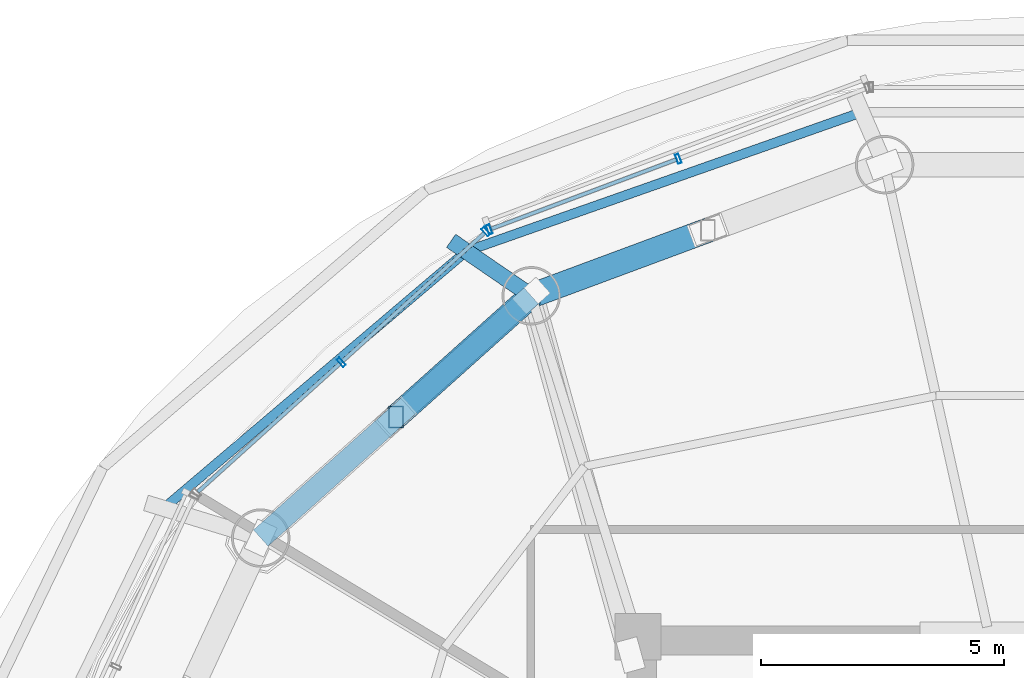
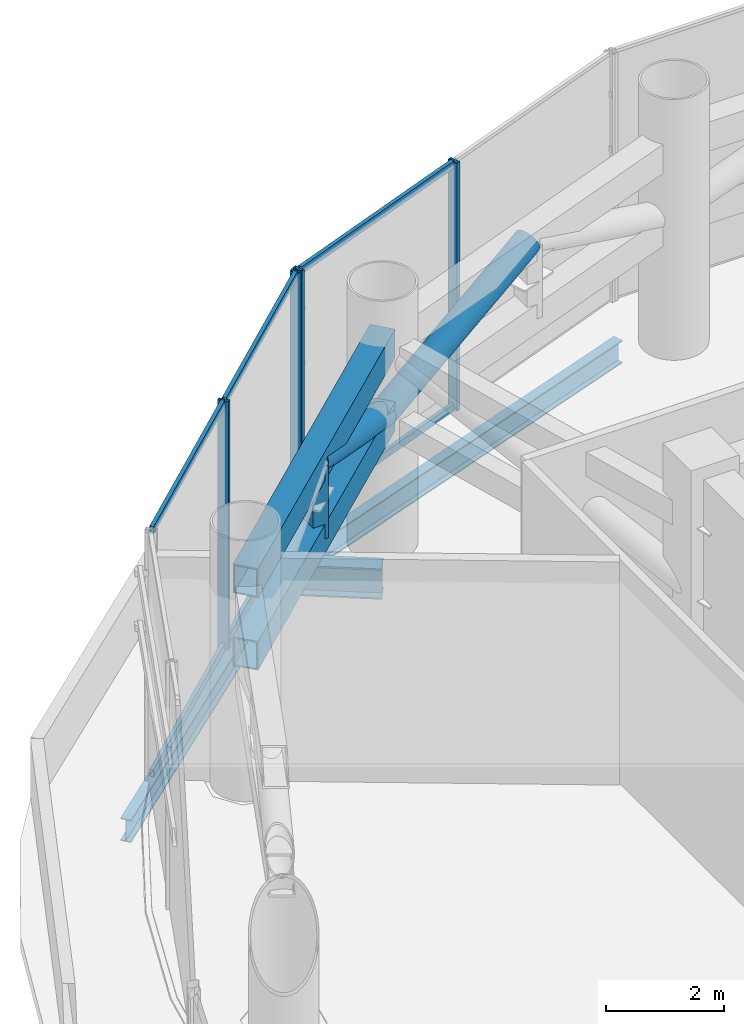
# One storey, part 14 of 25: 15 members, 3 beams, 2 elements without a shape of their own.
"""IFC4 building model written with IfcOpenShell, lengths in metres."""

from ifc_helpers import new_model, si_unit, direction, frame, origin, origin_2d, place, context, subcontext, project, spatial, hollow_rectangle, hollow_circle, i_section, extrude, source, transform, mapped, material, material_profile, profile_set, type_object, element, aggregate, save


model = new_model("IFC4")

# Units and contexts
model_context = context("Model", 3, precision=1e-05, world=origin(), true_north=direction((-0.2419218956, 0.970295726276)))
body_context = subcontext(model_context, "Body", "Model", "MODEL_VIEW")
ifc_project = project(units=[si_unit("LENGTHUNIT", "METRE"), si_unit("AREAUNIT", "SQUARE_METRE"), si_unit("VOLUMEUNIT", "CUBIC_METRE"), si_unit("PLANEANGLEUNIT", "RADIAN"), si_unit("MASSUNIT", "GRAM", prefix="KILO")], contexts=[model_context])

# Site, building, storey
site_placement = place(None, origin())
site = spatial("IfcSite", under=ifc_project, at=site_placement, CompositionType="ELEMENT")
building_placement = place(site_placement, origin())
building = spatial("IfcBuilding", under=site, at=building_placement, Name="Cobrevalo Terracotta Tower", CompositionType="ELEMENT")
storey_placement = place(building_placement, frame((0.0, 0.0, 185.800048828125)))
storey = spatial("IfcBuildingStorey", under=building, at=storey_placement, Name="L49", CompositionType="ELEMENT", Elevation=185.800048828125)

# Beams
ifc_material_1 = material(Name="Steel S355", Category="steel")
ifc_material_profile_1 = material_profile(ifc_material_1, i_section(OverallWidth=0.3291015625, OverallDepth=0.635009765625, WebThickness=0.017822265625, FlangeThickness=0.031005859375, at=origin_2d()), Name="W 610x241")
ifc_profile_set_1 = profile_set([ifc_material_profile_1], Name="Steel S355")
beam_type_1 = type_object("IfcBeamType", Name="Structural Beam W 610x241 (Steel S355)", PredefinedType="BEAM", material=ifc_profile_set_1)
beam_1_placement = place(storey_placement, frame((25.158447265625, 42.9375, -0.767578125), z_axis=(0.82467996977, -0.565599635308, 0.0), x_axis=(0.565599635308, 0.82467996977, 0.0)))
element("IfcBeam", 1, at=beam_1_placement, inside=storey, type_object=beam_type_1, Name="L49 setback step-link girder 06", PredefinedType="BEAM", context=body_context, shape_type="SweptSolid", body=[
    extrude(i_section(OverallWidth=0.3291015625, OverallDepth=0.635009765625, WebThickness=0.017822265625, FlangeThickness=0.031005859375, at=origin_2d()), origin(), (0.0, 0.0, 1.0), 1.996826171875),
])
ifc_material_profile_2 = material_profile(ifc_material_1, i_section(OverallWidth=0.194091796875, OverallDepth=0.468994140625, WebThickness=0.011474609375, FlangeThickness=0.0205078125, at=origin_2d()), Name="W 460x106")
ifc_profile_set_2 = profile_set([ifc_material_profile_2], Name="Steel S355")
beam_type_2 = type_object("IfcBeamType", Name="Structural Spandrel W 460x106 (Steel S355)", PredefinedType="SPANDREL", material=ifc_profile_set_2)
beam_2_placement = place(storey_placement, frame((33.600830078125, 45.58203125, -0.6845703125), z_axis=(-0.943341298492, -0.331824041565, 0.0), x_axis=(0.331824041565, -0.943341298492, 0.0)))
element("IfcBeam", 2, at=beam_2_placement, inside=storey, type_object=beam_type_2, Name="L49 perimeter ring spandrel 05", PredefinedType="SPANDREL", context=body_context, shape_type="SweptSolid", body=[
    extrude(i_section(OverallWidth=0.194091796875, OverallDepth=0.468994140625, WebThickness=0.011474609375, FlangeThickness=0.0205078125, at=origin_2d()), origin(), (0.0, 0.0, 1.0), 8.6171875),
])
beam_3_placement = place(storey_placement, frame((25.471923828125, 42.72265625, -0.6845703125), z_axis=(-0.762240337798, -0.647294112003, 0.0), x_axis=(0.647294112003, -0.762240337798, 0.0)))
element("IfcBeam", 3, at=beam_3_placement, inside=storey, type_object=beam_type_2, Name="L49 perimeter ring spandrel 06", PredefinedType="SPANDREL", context=body_context, shape_type="SweptSolid", body=[
    extrude(i_section(OverallWidth=0.194091796875, OverallDepth=0.468994140625, WebThickness=0.011474609375, FlangeThickness=0.0205078125, at=origin_2d()), origin(), (0.0, 0.0, 1.0), 8.162353515625),
])

# Members
ifc_material_profile_3 = material_profile(ifc_material_1, hollow_rectangle(XDim=0.300048828125, YDim=0.449951171875, WallThickness=0.02001953125, at=origin_2d()), Name="RHS 450x300x20")
ifc_profile_set_3 = profile_set([ifc_material_profile_3], Name="Steel S355")
member_type_1 = type_object("IfcMemberType", Name="Steel Post RHS 450x300x20 (Steel S355)", PredefinedType="POST", material=ifc_profile_set_3)
shared_shape_1 = source(origin(), body_context, "Body", "SweptSolid", [
    extrude(hollow_rectangle(XDim=0.300048828125, YDim=0.449951171875, WallThickness=0.02001953125, at=origin_2d()), origin(), (0.0, 0.0, 1.0), 1.505126953125),
])
member_1_placement = place(storey_placement, frame((24.025634765625, 39.318115234375, 2.64990234375), z_axis=(0.0, 0.0, 1.0), x_axis=(1.0, 0.0, 0.0)))
element("IfcMember", 4, at=member_1_placement, inside=storey, type_object=member_type_1, Name="L49 belt truss post 06", PredefinedType="POST", context=body_context, shape_type="MappedRepresentation", body=[
    mapped(shared_shape_1, transform((0.0, 0.0, 0.0), scale=1.0)),
])
ifc_material_profile_4 = material_profile(ifc_material_1, hollow_rectangle(XDim=0.449951171875, YDim=0.60009765625, WallThickness=0.028076171875, at=origin_2d()), Name="RHS 600x450x28")
ifc_profile_set_4 = profile_set([ifc_material_profile_4], Name="Steel S355")
member_type_2 = type_object("IfcMemberType", Name="Steel Chord RHS 600x450x28 (Steel S355)", PredefinedType="CHORD", material=ifc_profile_set_4)
shared_shape_2 = source(origin(), body_context, "Body", "SweptSolid", [
    extrude(hollow_rectangle(XDim=0.449951171875, YDim=0.60009765625, WallThickness=0.028076171875, at=origin_2d()), origin(), (0.0, 0.0, 1.0), 7.463623046875),
])
for number, where, z_axis, x_axis, name in (
    (5, (26.80517578125, 41.80810546875, 2.64990234375), (-0.744851930997, -0.667229796165, 0.0), (0.667229796165, -0.744851930997, 0.0), "L49 belt truss chord 06-BC"),
    (6, (26.80517578125, 41.80810546875, 4.155029296875), (-0.744851930997, -0.667229796165, 0.0), (0.667229796165, -0.744851930997, 0.0), "L49 belt truss chord 06-TC"),
):
    element("IfcMember", number, at=place(storey_placement, frame(where, z_axis=z_axis, x_axis=x_axis)), inside=storey, type_object=member_type_2, Name=name, PredefinedType="CHORD", context=body_context, shape_type="MappedRepresentation", body=[
        mapped(shared_shape_2, transform((0.0, 0.0, 0.0), scale=1.0)),
    ])
ifc_material_profile_5 = material_profile(ifc_material_1, hollow_circle(Radius=0.25390625, WallThickness=0.02001953125, at=origin_2d()), Name="CHS 508x20")
ifc_profile_set_5 = profile_set([ifc_material_profile_5], Name="Steel S355")
member_type_3 = type_object("IfcMemberType", Name="Steel Brace CHS 508x20 (Steel S355)", PredefinedType="BRACE", material=ifc_profile_set_5)
shared_shape_3 = source(origin(), body_context, "Body", "SweptSolid", [
    extrude(hollow_circle(Radius=0.25390625, WallThickness=0.02001953125, at=origin_2d()), origin(), (0.0, 0.0, 1.0), 4.02392578125),
])
member_2_placement = place(storey_placement, frame((26.80517578125, 41.80810546875, 2.64990234375), z_axis=(-0.690767881971, -0.618809102172, 0.374052173241), x_axis=(0.667246053133, -0.744837367872, 0.0)))
element("IfcMember", 7, at=member_2_placement, inside=storey, type_object=member_type_3, Name="L49 belt truss diagonal brace 06-D1", PredefinedType="BRACE", context=body_context, shape_type="MappedRepresentation", body=[
    mapped(shared_shape_3, transform((0.0, 0.0, 0.0), scale=1.0)),
])
shared_shape_4 = source(origin(), body_context, "Body", "SweptSolid", [
    extrude(hollow_circle(Radius=0.25390625, WallThickness=0.02001953125, at=origin_2d()), origin(), (0.0, 0.0, 1.0), 4.15576171875),
])
member_3_placement = place(storey_placement, frame((26.80517578125, 41.80810546875, 2.64990234375), z_axis=(0.873907532871, 0.32421992968, 0.362169934132), x_axis=(-0.347833629596, 0.937556273576, 0.0)))
element("IfcMember", 8, at=member_3_placement, inside=storey, type_object=member_type_3, Name="L49 belt truss diagonal brace 05-D2", PredefinedType="BRACE", context=body_context, shape_type="MappedRepresentation", body=[
    mapped(shared_shape_4, transform((0.0, 0.0, 0.0), scale=1.0)),
])

# Curtain wall, members
ifc_material_2 = material(Name="Anodized aluminium", Category="aluminium")
curtain_wall_type = type_object("IfcCurtainWallType", Name="Belt-truss plant acoustic weather-louvre curtain wall CW-LV", PredefinedType="NOTDEFINED", material=ifc_material_2)
curtain_wall_1_placement = place(storey_placement, origin())
curtain_wall_1 = element("IfcCurtainWall", 9, at=curtain_wall_1_placement, inside=storey, type_object=curtain_wall_type, Name="L49 curtain wall CW-LV-L49-S05", PredefinedType="NOTDEFINED")
ifc_material_profile_6 = material_profile(ifc_material_2, hollow_rectangle(XDim=0.074951171875, YDim=0.199951171875, WallThickness=0.0048828125, at=origin_2d()), Name="CWM 75x200")
ifc_profile_set_6 = profile_set([ifc_material_profile_6], Name="Anodized aluminium")
member_type_4 = type_object("IfcMemberType", Name="Lower/mid tower unitised mullion 75x200", PredefinedType="MULLION", material=ifc_profile_set_6)
shared_shape_5 = source(origin(), body_context, "Body", "SweptSolid", [
    extrude(hollow_rectangle(XDim=0.074951171875, YDim=0.199951171875, WallThickness=0.0048828125, at=origin_2d()), origin(), (0.0, 0.0, 1.0), 5.135009765625),
])
member_4_placement = place(storey_placement, frame((29.8291015625, 44.62353515625, 0.0), z_axis=(0.0, 0.0, 1.0), x_axis=(-0.936556004584, -0.350517974259, 0.0)))
member_4 = element("IfcMember", 10, at=member_4_placement, type_object=member_type_4, Name="CW-LV-L49-S05 vertical mullion 02", PredefinedType="MULLION", context=body_context, shape_type="MappedRepresentation", body=[
    mapped(shared_shape_5, transform((0.0, 0.0, 0.0), scale=1.0)),
])
member_5_placement = place(storey_placement, frame((25.942626953125, 43.1689453125, 0.0), z_axis=(0.0, 0.0, 1.0), x_axis=(-0.936556004584, -0.350517974259, 0.0)))
member_5 = element("IfcMember", 11, at=member_5_placement, type_object=member_type_4, Name="CW-LV-L49-S05 vertical mullion 03", PredefinedType="MULLION", context=body_context, shape_type="MappedRepresentation", body=[
    mapped(shared_shape_5, transform((0.0, 0.0, 0.0), scale=1.0)),
])

curtain_wall_2_placement = place(storey_placement, origin())
curtain_wall_2 = element("IfcCurtainWall", 12, at=curtain_wall_2_placement, inside=storey, type_object=curtain_wall_type, Name="L49 curtain wall CW-LV-L49-S06", PredefinedType="NOTDEFINED")
member_6_placement = place(storey_placement, frame((25.87548828125, 43.128173828125, 0.0), z_axis=(0.0, 0.0, 1.0), x_axis=(-0.741987542015, -0.670413668935, 0.0)))
member_6 = element("IfcMember", 13, at=member_6_placement, type_object=member_type_4, Name="CW-LV-L49-S06 vertical mullion 01", PredefinedType="MULLION", context=body_context, shape_type="MappedRepresentation", body=[
    mapped(shared_shape_5, transform((0.0, 0.0, 0.0), scale=1.0)),
])
member_7_placement = place(storey_placement, frame((22.902099609375, 40.441650390625, 0.0), z_axis=(0.0, 0.0, 1.0), x_axis=(-0.741987542015, -0.670413668935, 0.0)))
member_7 = element("IfcMember", 14, at=member_7_placement, type_object=member_type_4, Name="CW-LV-L49-S06 vertical mullion 02", PredefinedType="MULLION", context=body_context, shape_type="MappedRepresentation", body=[
    mapped(shared_shape_5, transform((0.0, 0.0, 0.0), scale=1.0)),
])
ifc_material_profile_7 = material_profile(ifc_material_2, hollow_rectangle(XDim=0.074951171875, YDim=0.14990234375, WallThickness=0.00439453125, at=origin_2d()), Name="CWT 75x150")
ifc_profile_set_7 = profile_set([ifc_material_profile_7], Name="Anodized aluminium")
member_type_5 = type_object("IfcMemberType", Name="Tower unitised aluminium transom 75x150", PredefinedType="USERDEFINED", material=ifc_profile_set_7)
shared_shape_6 = source(origin(), body_context, "Body", "SweptSolid", [
    extrude(hollow_rectangle(XDim=0.074951171875, YDim=0.14990234375, WallThickness=0.00439453125, at=origin_2d()), origin(), (0.0, 0.0, 1.0), 3.927490234375),
])
member_8_placement = place(storey_placement, frame((22.872314453125, 40.414794921875, 0.050048828125), z_axis=(-0.741975952623, -0.670426495396, 0.0), x_axis=(0.670426495396, -0.741975952623, 0.0)))
member_8 = element("IfcMember", 15, at=member_8_placement, type_object=member_type_5, Name="CW-LV-L49-S06 transom B02-T1", ObjectType="TRANSOM", PredefinedType="USERDEFINED", context=body_context, shape_type="MappedRepresentation", body=[
    mapped(shared_shape_6, transform((0.0, 0.0, 0.0), scale=1.0)),
])
member_9_placement = place(storey_placement, frame((22.872314453125, 40.414794921875, 5.0849609375), z_axis=(-0.741975952623, -0.670426495396, 0.0), x_axis=(0.670426495396, -0.741975952623, 0.0)))
member_9 = element("IfcMember", 16, at=member_9_placement, type_object=member_type_5, Name="CW-LV-L49-S06 transom B02-T2", ObjectType="TRANSOM", PredefinedType="USERDEFINED", context=body_context, shape_type="MappedRepresentation", body=[
    mapped(shared_shape_6, transform((0.0, 0.0, 0.0), scale=1.0)),
])
shared_shape_7 = source(origin(), body_context, "Body", "SweptSolid", [
    extrude(hollow_rectangle(XDim=0.074951171875, YDim=0.14990234375, WallThickness=0.00439453125, at=origin_2d()), origin(), (0.0, 0.0, 1.0), 3.927734375),
])
member_10_placement = place(storey_placement, frame((25.845947265625, 43.101318359375, 0.050048828125), z_axis=(-0.742003891138, -0.670395573923, 0.0), x_axis=(0.670395573923, -0.742003891138, 0.0)))
member_10 = element("IfcMember", 17, at=member_10_placement, type_object=member_type_5, Name="CW-LV-L49-S06 transom B01-T1", ObjectType="TRANSOM", PredefinedType="USERDEFINED", context=body_context, shape_type="MappedRepresentation", body=[
    mapped(shared_shape_7, transform((0.0, 0.0, 0.0), scale=1.0)),
])
member_11_placement = place(storey_placement, frame((25.845947265625, 43.101318359375, 5.0849609375), z_axis=(-0.742003891138, -0.670395573923, 0.0), x_axis=(0.670395573923, -0.742003891138, 0.0)))
member_11 = element("IfcMember", 18, at=member_11_placement, type_object=member_type_5, Name="CW-LV-L49-S06 transom B01-T2", ObjectType="TRANSOM", PredefinedType="USERDEFINED", context=body_context, shape_type="MappedRepresentation", body=[
    mapped(shared_shape_7, transform((0.0, 0.0, 0.0), scale=1.0)),
])
aggregate(curtain_wall_2, [member_6, member_7, member_10, member_11, member_8, member_9])

# Member
shared_shape_8 = source(origin(), body_context, "Body", "SweptSolid", [
    extrude(hollow_rectangle(XDim=0.074951171875, YDim=0.14990234375, WallThickness=0.00439453125, at=origin_2d()), origin(), (0.0, 0.0, 1.0), 4.069580078125),
])
member_12_placement = place(storey_placement, frame((29.79150390625, 44.609619140625, 0.050048828125), z_axis=(-0.936548420649, -0.350538237259, 0.0), x_axis=(0.350538237259, -0.936548420649, 0.0)))
member_12 = element("IfcMember", 19, at=member_12_placement, type_object=member_type_5, Name="CW-LV-L49-S05 transom B02-T1", ObjectType="TRANSOM", PredefinedType="USERDEFINED", context=body_context, shape_type="MappedRepresentation", body=[
    mapped(shared_shape_8, transform((0.0, 0.0, 0.0), scale=1.0)),
])

member_13_placement = place(storey_placement, frame((29.79150390625, 44.609619140625, 5.0849609375), z_axis=(-0.936548420649, -0.350538237259, 0.0), x_axis=(0.350538237259, -0.936548420649, 0.0)))
member_13 = element("IfcMember", 20, at=member_13_placement, type_object=member_type_5, Name="CW-LV-L49-S05 transom B02-T2", ObjectType="TRANSOM", PredefinedType="USERDEFINED", context=body_context, shape_type="MappedRepresentation", body=[
    mapped(shared_shape_8, transform((0.0, 0.0, 0.0), scale=1.0)),
])

aggregate(curtain_wall_1, [member_4, member_5, member_12, member_13])

save(model, "model.ifc")
